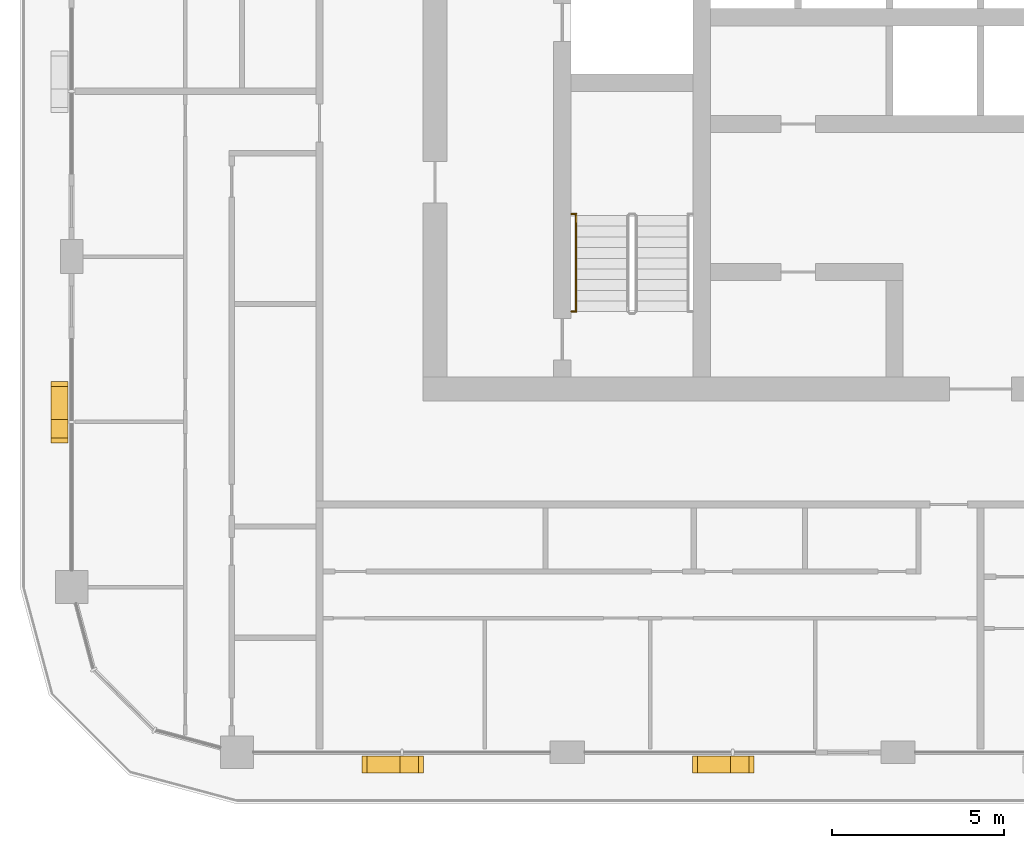
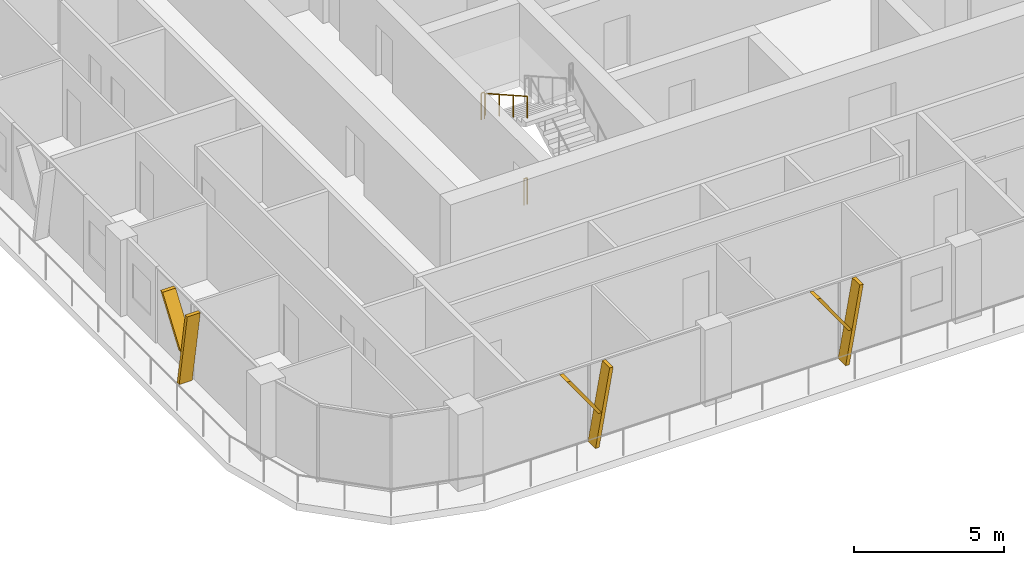
# One storey, part 16 of 22: 6 shading devices, 3 railings.
"""IFC4 building model written with IfcOpenShell, lengths in metres."""

import ifcopenshell
import ifcopenshell.guid

model = None  # the IFC model being written
_history = None  # IfcOwnerHistory: only IFC2X3 demands one
_inside = {}  # id of a spatial element -> (the spatial element, [elements in it])
_under = {}  # id of a project, library or spatial element -> (it, [spatial elements below it])
_declared = {}  # id of a project -> (the project, [libraries it declares])
_typed = {}  # id of a type object -> (the type object, [elements of that type])
_made_of = {}  # id of a material, layer set ... -> (it, [elements and type objects made of it])


def new_model(schema):
    """Start an empty IFC model of exactly this schema.

    Asked for "IFC4X3", IfcOpenShell would pick the latest addendum, in which some entities
    have other attributes; the version numbers below select the first issue.
    IFC2X3 requires an IfcOwnerHistory on every rooted entity: one is made here for all.
    """
    global model, _history
    if schema == "IFC4X3":
        model = ifcopenshell.file(schema_version=(4, 3, 0, 0))
    else:
        model = ifcopenshell.file(schema=schema)
    _inside.clear()
    _under.clear()
    _declared.clear()
    _typed.clear()
    _made_of.clear()
    _history = None
    if model.schema == "IFC2X3":
        org = make("IfcOrganization", Name="unknown")
        user = make(
            "IfcPersonAndOrganization",
            ThePerson=make("IfcPerson", FamilyName="unknown"),
            TheOrganization=org,
        )
        app = make(
            "IfcApplication",
            ApplicationDeveloper=org,
            Version="unknown",
            ApplicationFullName="unknown",
            ApplicationIdentifier="unknown",
        )
        _history = make(
            "IfcOwnerHistory",
            OwningUser=user,
            OwningApplication=app,
            ChangeAction="ADDED",
            CreationDate=0,
        )
    return model


def make(cls, **values):
    """One entity of the class cls with the attributes given. An attribute that is None is left unset."""
    return model.create_entity(
        cls, **{name: value for name, value in values.items() if value is not None}
    )


def rooted(cls, **values):
    """An entity with a GlobalId (a new one), such as an element, a storey or a relation."""
    return make(cls, GlobalId=ifcopenshell.guid.new(), OwnerHistory=_history, **values)


def si_unit(unit_type, name, prefix=None):
    """IfcSIUnit, for example si_unit("LENGTHUNIT", "METRE", prefix="MILLI")."""
    return make("IfcSIUnit", UnitType=unit_type, Prefix=prefix, Name=name)


def assignment(units):
    """IfcUnitAssignment: the units of a project."""
    return None if units is None else make("IfcUnitAssignment", Units=units)


def point(xyz):
    """IfcCartesianPoint."""
    return None if xyz is None else make("IfcCartesianPoint", Coordinates=xyz)


def direction(xyz):
    """IfcDirection."""
    return None if xyz is None else make("IfcDirection", DirectionRatios=xyz)


def frame(location, z_axis=None, x_axis=None):
    """IfcAxis2Placement3D, a coordinate frame: its origin and axes. An axis left out is left unset."""
    return make(
        "IfcAxis2Placement3D",
        Location=point(location),
        Axis=direction(z_axis),
        RefDirection=direction(x_axis),
    )


def frame_2d(location, x_axis=None):
    """IfcAxis2Placement2D, a coordinate frame in the plane: its origin and x axis."""
    return make(
        "IfcAxis2Placement2D", Location=point(location), RefDirection=direction(x_axis)
    )


def origin():
    """The frame at (0, 0, 0) with its axes left unset."""
    return frame((0.0, 0.0, 0.0))


def origin_2d():
    """The frame at (0, 0) in the plane with its x axis left unset."""
    return frame_2d((0.0, 0.0))


def place(relative_to, where):
    """IfcLocalPlacement: puts the frame where relative to a parent placement (None: the world)."""
    return make(
        "IfcLocalPlacement", PlacementRelTo=relative_to, RelativePlacement=where
    )


def context(
    kind, dimensions, precision=None, world=None, true_north=None, identifier=None
):
    """IfcGeometricRepresentationContext, for example the 3D "Model" context."""
    return make(
        "IfcGeometricRepresentationContext",
        ContextIdentifier=identifier,
        ContextType=kind,
        CoordinateSpaceDimension=dimensions,
        Precision=precision,
        WorldCoordinateSystem=world,
        TrueNorth=true_north,
    )


def subcontext(parent, identifier, kind, view, scale=None):
    """IfcGeometricRepresentationSubContext, for example "Body" below "Model"."""
    return make(
        "IfcGeometricRepresentationSubContext",
        ContextIdentifier=identifier,
        ContextType=kind,
        ParentContext=parent,
        TargetScale=scale,
        TargetView=view,
    )


def project(units=None, contexts=None):
    """IfcProject with its units and contexts."""
    return rooted(
        "IfcProject",
        Name="project",
        RepresentationContexts=contexts,
        UnitsInContext=assignment(units),
    )


def spatial(cls, under=None, at=None, **own):
    """A site, building, storey or space (cls), placed at a placement, below another one or the project."""
    s = rooted(cls, ObjectPlacement=at, **own)
    if under is not None:
        _under.setdefault(under.id(), (under, []))[1].append(s)
    return s


def polyline(points):
    """IfcPolyline through the points."""
    return make("IfcPolyline", Points=[point(p) for p in points])


def profile(cls, at=None, kind="AREA", **sizes):
    """A parametric profile (cls). Its sizes go by their IFC names, for example OverallWidth=200.0."""
    return make(cls, ProfileType=kind, Position=at, **sizes)


def circle(**sizes):
    """IfcCircleProfileDef."""
    return profile("IfcCircleProfileDef", **sizes)


def outline(outer, holes=None, kind="AREA"):
    """IfcArbitraryClosedProfileDef: a profile drawn as a closed curve; with holes, ...WithVoids."""
    if holes is None:
        return make("IfcArbitraryClosedProfileDef", ProfileType=kind, OuterCurve=outer)
    return make(
        "IfcArbitraryProfileDefWithVoids",
        ProfileType=kind,
        OuterCurve=outer,
        InnerCurves=holes,
    )


def extrude(swept, where, along, depth):
    """IfcExtrudedAreaSolid: the profile swept, set in the frame where, extruded along a direction by depth."""
    return make(
        "IfcExtrudedAreaSolid",
        SweptArea=swept,
        Position=where,
        ExtrudedDirection=direction(along),
        Depth=depth,
    )


def shape(context_of_items, identifier, shape_type, items):
    """IfcShapeRepresentation: the items that make up one representation, for example the "Body"."""
    return make(
        "IfcShapeRepresentation",
        ContextOfItems=context_of_items,
        RepresentationIdentifier=identifier,
        RepresentationType=shape_type,
        Items=items,
    )


def material(Name=None, Category=None):
    """IfcMaterial."""
    return make("IfcMaterial", Name=Name, Category=Category)


def made_of(thing, what):
    """Note that an element or type object is made of a material, layer set ...; save() writes the relation."""
    if what is not None:
        _made_of.setdefault(what.id(), (what, []))[1].append(thing)
    return thing


def type_object(cls, material=None, **own):
    """A type object (cls), such as IfcWallType, which elements share."""
    return made_of(rooted(cls, **own), material)


def element(
    cls,
    number,
    at=None,
    inside=None,
    cuts=None,
    type_object=None,
    material=None,
    context=None,
    identifier="Body",
    shape_type=None,
    held_by="IfcProductDefinitionShape",
    body=None,
    shapes=None,
    **own,
):
    """One element of the class cls, such as IfcWall. Its Tag is "e" and its number.

    at: its placement. inside: the storey or other place that contains it. cuts: it is an
    opening in that element (IfcRelVoidsElement). A single representation is given by context,
    identifier, shape_type and body (its items); several are given by shapes. held_by: the class
    of the entity that holds the representations. save() writes the other relations.
    """
    e = rooted(cls, Tag="e%d" % number, ObjectPlacement=at, **own)
    if body is not None:
        shapes = [shape(context, identifier, shape_type, body)]
    if shapes is not None:
        e.Representation = make(held_by, Representations=shapes)
    if inside is not None:
        _inside.setdefault(inside.id(), (inside, []))[1].append(e)
    if cuts is not None:
        rooted(
            "IfcRelVoidsElement", RelatingBuildingElement=cuts, RelatedOpeningElement=e
        )
    if type_object is not None:
        _typed.setdefault(type_object.id(), (type_object, []))[1].append(e)
    return made_of(e, material)


def aggregate(whole, parts):
    """IfcRelAggregates: a whole, such as a stair, and the parts it consists of."""
    return rooted("IfcRelAggregates", RelatingObject=whole, RelatedObjects=parts)


def save(model, path):
    """Write the relations noted so far, then the file.

    IfcRelAggregates (storeys below a building ...), IfcRelContainedInSpatialStructure (elements
    in a storey), IfcRelDefinesByType, IfcRelAssociatesMaterial and IfcRelDeclares: one each for
    every whole, place, type object, material and project.
    """
    for whole, parts in _under.values():
        aggregate(whole, parts)
    for where, things in _inside.values():
        rooted(
            "IfcRelContainedInSpatialStructure",
            RelatedElements=things,
            RelatingStructure=where,
        )
    for kind, things in _typed.values():
        rooted("IfcRelDefinesByType", RelatedObjects=things, RelatingType=kind)
    for what, things in _made_of.values():
        rooted("IfcRelAssociatesMaterial", RelatedObjects=things, RelatingMaterial=what)
    for by, libraries in _declared.values():
        rooted("IfcRelDeclares", RelatingContext=by, RelatedDefinitions=libraries)
    model.write(path)


model = new_model("IFC4")

# Units and contexts
model_context = context("Model", 3, precision=1e-05, world=origin(), true_north=direction((0.0, 1.0)))
body_context = subcontext(model_context, "Body", "Model", "MODEL_VIEW")
ifc_project = project(units=[si_unit("LENGTHUNIT", "METRE"), si_unit("AREAUNIT", "SQUARE_METRE"), si_unit("VOLUMEUNIT", "CUBIC_METRE"), si_unit("PLANEANGLEUNIT", "RADIAN"), si_unit("MASSUNIT", "GRAM", prefix="KILO")], contexts=[model_context])

# Site, building, storey
site_placement = place(None, origin())
site = spatial("IfcSite", under=ifc_project, at=site_placement, CompositionType="ELEMENT")
building_placement = place(site_placement, origin())
building = spatial("IfcBuilding", under=site, at=building_placement, Name="Madar Terraces", CompositionType="ELEMENT")
storey_placement = place(building_placement, frame((0.0, 0.0, 229.800048828125)))
storey = spatial("IfcBuildingStorey", under=building, at=storey_placement, Name="L60", CompositionType="ELEMENT", Elevation=229.800048828125)

# Shading devices
ifc_material_1 = material(Name="Aluminium, black anodised", Category="aluminium")
shading_device_type = type_object("IfcShadingDeviceType", Name="Facade fin blade 140 x 500", PredefinedType="USERDEFINED", material=ifc_material_1)
shading_device_1_placement = place(storey_placement, frame((14.330078125, 4.449951171875, 0.0), z_axis=(0.0, 0.0, 1.0), x_axis=(1.0, 0.0, 0.0)))
element("IfcShadingDevice", 1, at=shading_device_1_placement, inside=storey, type_object=shading_device_type, Name="FIN L60 S1", ObjectType="FIN", PredefinedType="USERDEFINED", context=body_context, shape_type="SweptSolid", body=[
    extrude(outline(polyline([(0.0, 0.0), (0.139892578125, 0.0), (0.68310546875, 3.079833984375), (0.54296875, 3.079833984375), (0.0, 0.0)])), frame((0.0, 0.25, 0.0), z_axis=(0.0, -1.0, 0.0), x_axis=(1.0, 0.0, 0.0)), (0.0, 0.0, 1.0), 0.5),
])
shading_device_2_placement = place(storey_placement, frame((14.434326171875, 4.449951171875, 1.385986328125), z_axis=(0.0, 0.0, 1.0), x_axis=(1.0, 0.0, 0.0)))
element("IfcShadingDevice", 2, at=shading_device_2_placement, inside=storey, type_object=shading_device_type, Name="FIN L60 S1 branch", ObjectType="FIN", PredefinedType="USERDEFINED", context=body_context, shape_type="SweptSolid", body=[
    extrude(outline(polyline([(0.0, 0.0), (0.14013671875, 0.0), (-1.061279296875, 1.69384765625), (-1.201416015625, 1.69384765625), (0.0, 0.0)])), frame((0.0, 0.25, 0.0), z_axis=(0.0, -1.0, 0.0), x_axis=(1.0, 0.0, 0.0)), (0.0, 0.0, 1.0), 0.5),
])
shading_device_3_placement = place(storey_placement, frame((23.929931640625, 4.449951171875, 0.0), z_axis=(0.0, 0.0, 1.0), x_axis=(1.0, 0.0, 0.0)))
element("IfcShadingDevice", 3, at=shading_device_3_placement, inside=storey, type_object=shading_device_type, Name="FIN L60 S2", ObjectType="FIN", PredefinedType="USERDEFINED", context=body_context, shape_type="SweptSolid", body=[
    extrude(outline(polyline([(0.0, 0.0), (0.14013671875, 0.0), (0.68310546875, 3.079833984375), (0.54296875, 3.079833984375), (0.0, 0.0)])), frame((0.0, 0.25, 0.0), z_axis=(0.0, -1.0, 0.0), x_axis=(1.0, 0.0, 0.0)), (0.0, 0.0, 1.0), 0.5),
])
shading_device_4_placement = place(storey_placement, frame((24.034423828125, 4.449951171875, 1.385986328125), z_axis=(0.0, 0.0, 1.0), x_axis=(1.0, 0.0, 0.0)))
element("IfcShadingDevice", 4, at=shading_device_4_placement, inside=storey, type_object=shading_device_type, Name="FIN L60 S2 branch", ObjectType="FIN", PredefinedType="USERDEFINED", context=body_context, shape_type="SweptSolid", body=[
    extrude(outline(polyline([(0.0, 0.0), (0.139892578125, 0.0), (-1.061279296875, 1.69384765625), (-1.201416015625, 1.69384765625), (0.0, 0.0)])), frame((0.0, 0.25, 0.0), z_axis=(0.0, -1.0, 0.0), x_axis=(1.0, 0.0, 0.0)), (0.0, 0.0, 1.0), 0.5),
])
shading_device_5_placement = place(storey_placement, frame((4.449951171875, 14.469970703125, 0.0), z_axis=(0.0, 0.0, 1.0), x_axis=(0.0, -1.0, 0.0)))
element("IfcShadingDevice", 5, at=shading_device_5_placement, inside=storey, type_object=shading_device_type, Name="FIN L60 W4", ObjectType="FIN", PredefinedType="USERDEFINED", context=body_context, shape_type="SweptSolid", body=[
    extrude(outline(polyline([(0.0, 0.0), (0.139892578125, 0.0), (0.68310546875, 3.079833984375), (0.54296875, 3.079833984375), (0.0, 0.0)])), frame((0.0, 0.25, 0.0), z_axis=(0.0, -1.0, 0.0), x_axis=(1.0, 0.0, 0.0)), (0.0, 0.0, 1.0), 0.5),
])
shading_device_6_placement = place(storey_placement, frame((4.449951171875, 14.36572265625, 1.385986328125), z_axis=(0.0, 0.0, 1.0), x_axis=(0.0, -1.0, 0.0)))
element("IfcShadingDevice", 6, at=shading_device_6_placement, inside=storey, type_object=shading_device_type, Name="FIN L60 W4 branch", ObjectType="FIN", PredefinedType="USERDEFINED", context=body_context, shape_type="SweptSolid", body=[
    extrude(outline(polyline([(0.0, 0.0), (0.14013671875, 0.0), (-1.061279296875, 1.69384765625), (-1.201416015625, 1.69384765625), (0.0, 0.0)])), frame((0.0, 0.25, 0.0), z_axis=(0.0, -1.0, 0.0), x_axis=(1.0, 0.0, 0.0)), (0.0, 0.0, 1.0), 0.5),
])

# Railings
ifc_material_2 = material(Name="Stainless steel railing", Category="steel")
railing_type_1 = type_object("IfcRailingType", Name="Stair guard 1100", PredefinedType="GUARDRAIL", material=ifc_material_2)
for number, where, name in (
    (7, (19.320068359375, 20.43994140625, 1.75), "L60 stair guard seat 1"),
    (8, (19.320068359375, 17.60009765625, 0.0), "L60 stair guard floor 1"),
):
    element("IfcRailing", number, at=place(storey_placement, frame(where)), inside=storey, type_object=railing_type_1, Name=name, PredefinedType="GUARDRAIL", context=body_context, shape_type="SweptSolid", body=[
        extrude(circle(Radius=0.02392578125, at=origin_2d()), frame((0.0, 0.0, 1.076171875), z_axis=(1.0, 0.0, 0.0), x_axis=(0.0, 1.0, 0.0)), (0.0, 0.0, 1.0), 0.1298828125),
        extrude(circle(Radius=0.02099609375, at=origin_2d()), origin(), (0.0, 0.0, 1.0), 1.052001953125),
        extrude(circle(Radius=0.02099609375, at=origin_2d()), frame((0.1298828125, 0.0, 0.0)), (0.0, 0.0, 1.0), 1.052001953125),
    ])
ifc_material_3 = material(Name="Stainless steel railing", Category="steel")
railing_type_2 = type_object("IfcRailingType", Name="Stair handrail 900", PredefinedType="HANDRAIL", material=ifc_material_3)
railing_placement = place(storey_placement, frame((19.449951171875, 20.389892578125, 1.925048828125)))
element("IfcRailing", 9, at=railing_placement, inside=storey, type_object=railing_type_2, Name="L60 ST1 stair handrail 2", PredefinedType="HANDRAIL", context=body_context, shape_type="SweptSolid", body=[
    extrude(circle(Radius=0.02392578125, at=origin_2d()), frame((0.0, 0.0, 0.8759765625), z_axis=(0.0, -0.870815363784, 0.491610213684), x_axis=(1.0, 0.0, 0.0)), (0.0, 0.0, 1.0), 3.20361328125),
    extrude(circle(Radius=0.02099609375, at=origin_2d()), origin(), (0.0, 0.0, 1.0), 0.851806640625),
    extrude(circle(Radius=0.02099609375, at=origin_2d()), frame((0.0, -0.929931640625, 0.52490234375)), (0.0, 0.0, 1.0), 0.851806640625),
    extrude(circle(Radius=0.02099609375, at=origin_2d()), frame((0.0, -1.85986328125, 1.050048828125)), (0.0, 0.0, 1.0), 0.851806640625),
    extrude(circle(Radius=0.02099609375, at=origin_2d()), frame((0.0, -2.789794921875, 1.574951171875)), (0.0, 0.0, 1.0), 0.851806640625),
])

save(model, "model.ifc")
